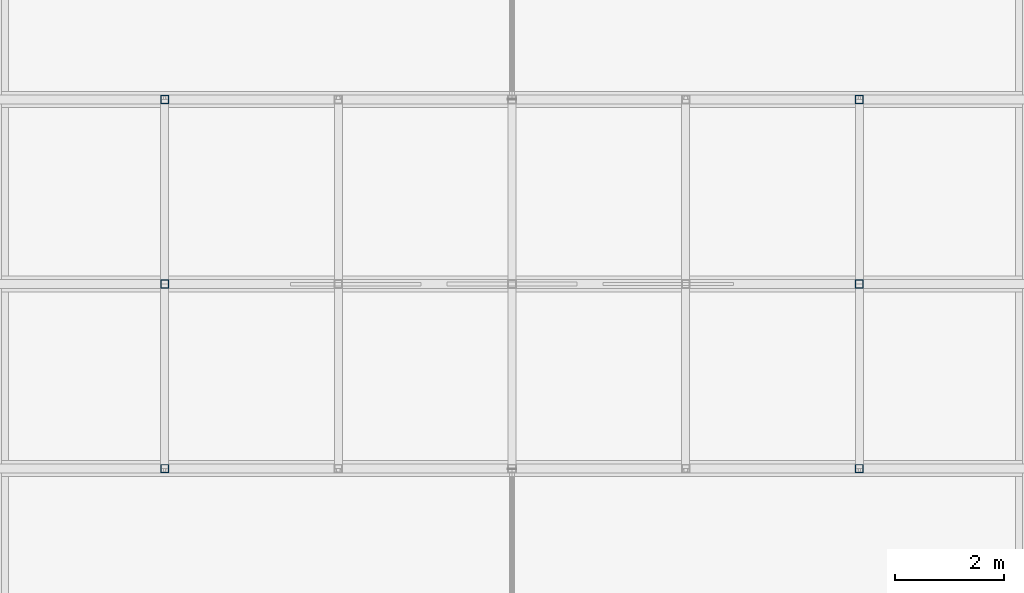
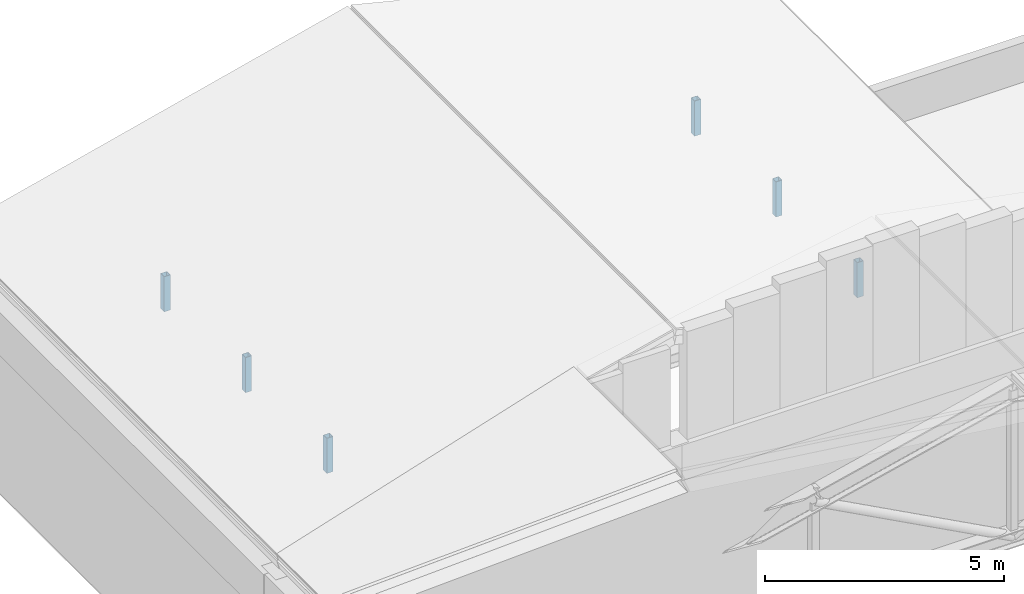
# One storey, part 36 of 61: 6 members.
"""IFC4 building model written with IfcOpenShell, lengths in metres."""

from ifc_helpers import new_model, si_unit, direction, frame, origin, origin_2d, place, context, subcontext, project, spatial, hollow_rectangle, extrude, material, material_profile, profile_set, type_object, element, save


model = new_model("IFC4")

# Units and contexts
model_context = context("Model", 3, precision=1e-05, world=origin(), true_north=direction((0.0, 1.0)))
body_context = subcontext(model_context, "Body", "Model", "MODEL_VIEW")
ifc_project = project(units=[si_unit("LENGTHUNIT", "METRE"), si_unit("AREAUNIT", "SQUARE_METRE"), si_unit("VOLUMEUNIT", "CUBIC_METRE"), si_unit("PLANEANGLEUNIT", "RADIAN"), si_unit("MASSUNIT", "GRAM", prefix="KILO")], contexts=[model_context])

# Site, building, storey
site_placement = place(None, origin())
site = spatial("IfcSite", under=ifc_project, at=site_placement, CompositionType="ELEMENT")
building_placement = place(site_placement, origin())
building = spatial("IfcBuilding", under=site, at=building_placement, Name="Vellmiral Cinema and Media Centre", CompositionType="ELEMENT")
storey_placement = place(building_placement, frame((0.0, 0.0, 10.800048828125)))
storey = spatial("IfcBuildingStorey", under=building, at=storey_placement, Name="L02", CompositionType="ELEMENT", Elevation=10.800048828125)

# Members
ifc_material = material(Name="Steel S355", Category="steel")
ifc_material_profile = material_profile(ifc_material, hollow_rectangle(XDim=0.14990234375, YDim=0.14990234375, WallThickness=0.008056640625, at=origin_2d()), Name="SHS 150x150x8.0")
ifc_profile_set = profile_set([ifc_material_profile], Name="Steel S355")
member_type = type_object("IfcMemberType", Name="TBR-SHS150", PredefinedType="BRACE", material=ifc_profile_set)
for number, where, z_axis, x_axis, name in (
    (1, (9.60009765625, 98.60009765625, 4.14990234375), (0.0, 0.0, 1.0), (1.0, 0.0, 0.0), "Roof Truss TR-04.1 Post 1"),
    (2, (22.39990234375, 98.60009765625, 4.14990234375), (0.0, 0.0, 1.0), (1.0, 0.0, 0.0), "Roof Truss TR-04.1 Post 5"),
    (3, (9.60009765625, 102.0, 4.14990234375), (0.0, 0.0, 1.0), (1.0, 0.0, 0.0), "Roof Truss TR-04.2 Post 1"),
    (4, (22.39990234375, 102.0, 4.14990234375), (0.0, 0.0, 1.0), (1.0, 0.0, 0.0), "Roof Truss TR-04.2 Post 5"),
    (5, (9.60009765625, 105.39990234375, 4.14990234375), (0.0, 0.0, 1.0), (1.0, 0.0, 0.0), "Roof Truss TR-04.3 Post 1"),
    (6, (22.39990234375, 105.39990234375, 4.14990234375), (0.0, 0.0, 1.0), (1.0, 0.0, 0.0), "Roof Truss TR-04.3 Post 5"),
):
    element("IfcMember", number, at=place(storey_placement, frame(where, z_axis=z_axis, x_axis=x_axis)), inside=storey, type_object=member_type, Name=name, PredefinedType="BRACE", context=body_context, shape_type="SweptSolid", body=[
        extrude(hollow_rectangle(XDim=0.14990234375, YDim=0.14990234375, WallThickness=0.008056640625, at=origin_2d()), origin(), (0.0, 0.0, 1.0), 0.89794921875),
    ])

save(model, "model.ifc")
